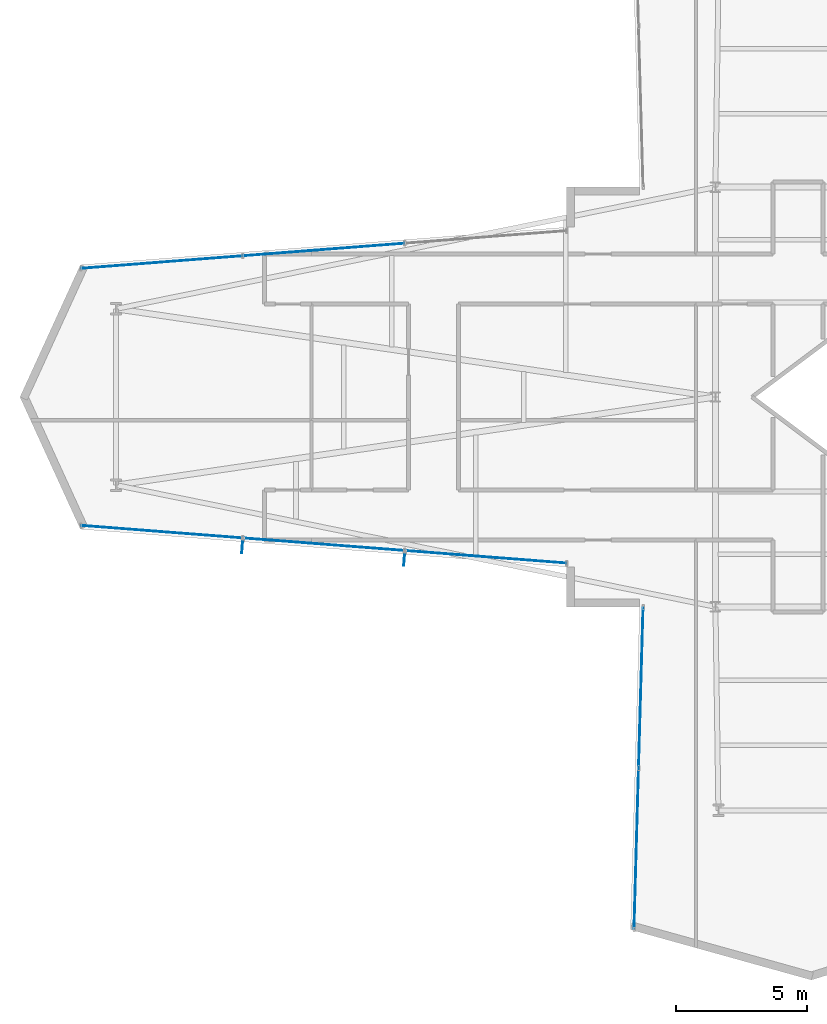
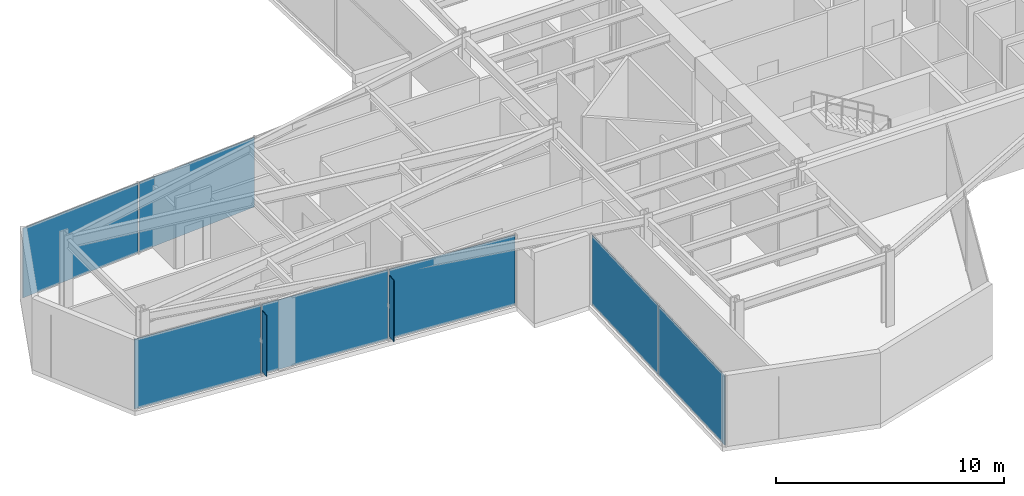
# One storey, part 24 of 30: 9 plates, 3 elements without a shape of their own.
"""IFC4 building model written with IfcOpenShell, lengths in metres."""

from ifc_helpers import new_model, si_unit, direction, frame, origin, origin_2d, place, context, subcontext, project, spatial, rectangle, extrude, material, layer, layer_set, type_object, element, aggregate, save


model = new_model("IFC4")

# Units and contexts
model_context = context("Model", 3, precision=1e-05, world=origin(), true_north=direction((0.0, 1.0)))
body_context = subcontext(model_context, "Body", "Model", "MODEL_VIEW")
ifc_project = project(units=[si_unit("LENGTHUNIT", "METRE"), si_unit("AREAUNIT", "SQUARE_METRE"), si_unit("VOLUMEUNIT", "CUBIC_METRE"), si_unit("PLANEANGLEUNIT", "RADIAN"), si_unit("MASSUNIT", "GRAM", prefix="KILO")], contexts=[model_context])

# Site, building, storey
site_placement = place(None, origin())
site = spatial("IfcSite", under=ifc_project, at=site_placement, CompositionType="ELEMENT")
building_placement = place(site_placement, origin())
building = spatial("IfcBuilding", under=site, at=building_placement, Name="Veymaron Broadcast Tower", CompositionType="ELEMENT")
storey_placement = place(building_placement, frame((0.0, 0.0, 54.0)))
storey = spatial("IfcBuildingStorey", under=building, at=storey_placement, Name="L11", CompositionType="ELEMENT", Elevation=54.0)

# Curtain wall, plates
ifc_material_1 = material(Name="Anodised aluminium AA 6063-T6 and laminated low-E dark glass", Category="aluminium")
ifc_layer_1 = layer(ifc_material_1, 0.179931640625)
ifc_layer_set_1 = layer_set([ifc_layer_1], Name="Anodised aluminium AA 6063-T6 and laminated low-E dark glass")
curtain_wall_type = type_object("IfcCurtainWallType", Name="CW-SYS-02", PredefinedType="NOTDEFINED", material=ifc_layer_set_1)
curtain_wall_1_placement = place(storey_placement, origin())
curtain_wall_1 = element("IfcCurtainWall", 1, at=curtain_wall_1_placement, inside=storey, type_object=curtain_wall_type, Name="L11 dark-glass curtain wall CW-L11-E11-1", PredefinedType="NOTDEFINED")
ifc_material_2 = material(Name="Double-silver solar-control dark glass IGU 32 mm", Category="glass")
ifc_layer_2 = layer(ifc_material_2, 0.031982421875)
ifc_layer_set_2 = layer_set([ifc_layer_2], Name="Double-silver solar-control dark glass IGU 32 mm")
plate_type_1 = type_object("IfcPlateType", Name="CW-PNL-02", PredefinedType="CURTAIN_PANEL", material=ifc_layer_set_2)
plate_1_placement = place(storey_placement, frame((16.27490234375, 29.618408203125, 0.0400390625), z_axis=(0.0, 0.0, 1.0), x_axis=(-0.997008399866, -0.07729327653, 0.0)))
plate_1 = element("IfcPlate", 2, at=plate_1_placement, type_object=plate_type_1, Name="CW-L11-E11-1 unitised curtain panel 1", PredefinedType="CURTAIN_PANEL", context=body_context, shape_type="SweptSolid", body=[
    extrude(rectangle(XDim=6.134521484375, YDim=0.031982421875, at=origin_2d()), origin(), (0.0, 0.0, 1.0), 3.72998046875),
])
plate_2_placement = place(storey_placement, frame((10.098876953125, 29.139404296875, 0.0400390625), z_axis=(0.0, 0.0, 1.0), x_axis=(-0.997008399866, -0.07729327653, 0.0)))
plate_2 = element("IfcPlate", 3, at=plate_2_placement, type_object=plate_type_1, Name="CW-L11-E11-1 unitised curtain panel 2", PredefinedType="CURTAIN_PANEL", context=body_context, shape_type="SweptSolid", body=[
    extrude(rectangle(XDim=6.134521484375, YDim=0.031982421875, at=origin_2d()), origin(), (0.0, 0.0, 1.0), 3.72998046875),
])
aggregate(curtain_wall_1, [plate_1, plate_2])

curtain_wall_2_placement = place(storey_placement, origin())
curtain_wall_2 = element("IfcCurtainWall", 4, at=curtain_wall_2_placement, inside=storey, type_object=curtain_wall_type, Name="L11 dark-glass curtain wall CW-L11-E14-1", PredefinedType="NOTDEFINED")
plate_3_placement = place(storey_placement, frame((10.098876953125, 18.860595703125, 0.0400390625), z_axis=(0.0, 0.0, 1.0), x_axis=(0.997008399866, -0.07729327653, 0.0)))
plate_3 = element("IfcPlate", 5, at=plate_3_placement, type_object=plate_type_1, Name="CW-L11-E14-1 unitised curtain panel 0", PredefinedType="CURTAIN_PANEL", context=body_context, shape_type="SweptSolid", body=[
    extrude(rectangle(XDim=6.134521484375, YDim=0.031982421875, at=origin_2d()), origin(), (0.0, 0.0, 1.0), 3.72998046875),
])
plate_4_placement = place(storey_placement, frame((16.27490234375, 18.381591796875, 0.0400390625), z_axis=(0.0, 0.0, 1.0), x_axis=(0.997008399866, -0.07729327653, 0.0)))
plate_4 = element("IfcPlate", 6, at=plate_4_placement, type_object=plate_type_1, Name="CW-L11-E14-1 unitised curtain panel 1", PredefinedType="CURTAIN_PANEL", context=body_context, shape_type="SweptSolid", body=[
    extrude(rectangle(XDim=6.134521484375, YDim=0.031982421875, at=origin_2d()), origin(), (0.0, 0.0, 1.0), 3.72998046875),
])
plate_5_placement = place(storey_placement, frame((22.45068359375, 17.90283203125, 0.0400390625), z_axis=(0.0, 0.0, 1.0), x_axis=(0.997008399866, -0.07729327653, 0.0)))
plate_5 = element("IfcPlate", 7, at=plate_5_placement, type_object=plate_type_1, Name="CW-L11-E14-1 unitised curtain panel 2", PredefinedType="CURTAIN_PANEL", context=body_context, shape_type="SweptSolid", body=[
    extrude(rectangle(XDim=6.134521484375, YDim=0.031982421875, at=origin_2d()), origin(), (0.0, 0.0, 1.0), 3.72998046875),
])
aggregate(curtain_wall_2, [plate_3, plate_4, plate_5])

curtain_wall_3_placement = place(storey_placement, origin())
curtain_wall_3 = element("IfcCurtainWall", 8, at=curtain_wall_3_placement, inside=storey, type_object=curtain_wall_type, Name="L11 dark-glass curtain wall CW-L11-E17-1", PredefinedType="NOTDEFINED")
plate_6_placement = place(storey_placement, frame((28.35888671875, 12.922119140625, 0.0400390625), z_axis=(0.0, 0.0, 1.0), x_axis=(-0.028113549573, -0.999604736048, 0.0)))
plate_6 = element("IfcPlate", 9, at=plate_6_placement, type_object=plate_type_1, Name="CW-L11-E17-1 unitised curtain panel 0", PredefinedType="CURTAIN_PANEL", context=body_context, shape_type="SweptSolid", body=[
    extrude(rectangle(XDim=6.09033203125, YDim=0.031982421875, at=origin_2d()), origin(), (0.0, 0.0, 1.0), 3.72998046875),
])
plate_7_placement = place(storey_placement, frame((28.18603515625, 6.774169921875, 0.0400390625), z_axis=(0.0, 0.0, 1.0), x_axis=(-0.028113549573, -0.999604736048, 0.0)))
plate_7 = element("IfcPlate", 10, at=plate_7_placement, type_object=plate_type_1, Name="CW-L11-E17-1 unitised curtain panel 1", PredefinedType="CURTAIN_PANEL", context=body_context, shape_type="SweptSolid", body=[
    extrude(rectangle(XDim=6.09033203125, YDim=0.031982421875, at=origin_2d()), origin(), (0.0, 0.0, 1.0), 3.72998046875),
])
aggregate(curtain_wall_3, [plate_6, plate_7])

# Plates
ifc_material_3 = material(Name="Dark-anodised aluminium AA 6061-T6", Category="aluminium")
ifc_layer_3 = layer(ifc_material_3, 0.034912109375)
ifc_layer_set_3 = layer_set([ifc_layer_3], Name="Dark-anodised aluminium AA 6061-T6")
plate_type_2 = type_object("IfcPlateType", Name="FIN-CHEV-01", PredefinedType="USERDEFINED", material=ifc_layer_set_3)
for number, where, z_axis, x_axis, name in (
    (11, (13.159423828125, 18.26708984375, 0.2666015625), (0.0, 0.0, 1.0), (-0.07729327653, -0.997008399866, 0.0), "CW-L11-E14-1 chevron fin 1"),
    (12, (19.33544921875, 17.788330078125, 0.2666015625), (0.0, 0.0, 1.0), (-0.07729327653, -0.997008399866, 0.0), "CW-L11-E14-1 chevron fin 2"),
):
    element("IfcPlate", number, at=place(storey_placement, frame(where, z_axis=z_axis, x_axis=x_axis)), inside=storey, type_object=plate_type_2, Name=name, ObjectType="FIN", PredefinedType="USERDEFINED", context=body_context, shape_type="SweptSolid", body=[
        extrude(rectangle(XDim=0.449951171875, YDim=0.034912109375, at=origin_2d()), origin(), (0.0, 0.0, 1.0), 3.276611328125),
    ])

save(model, "model.ifc")
